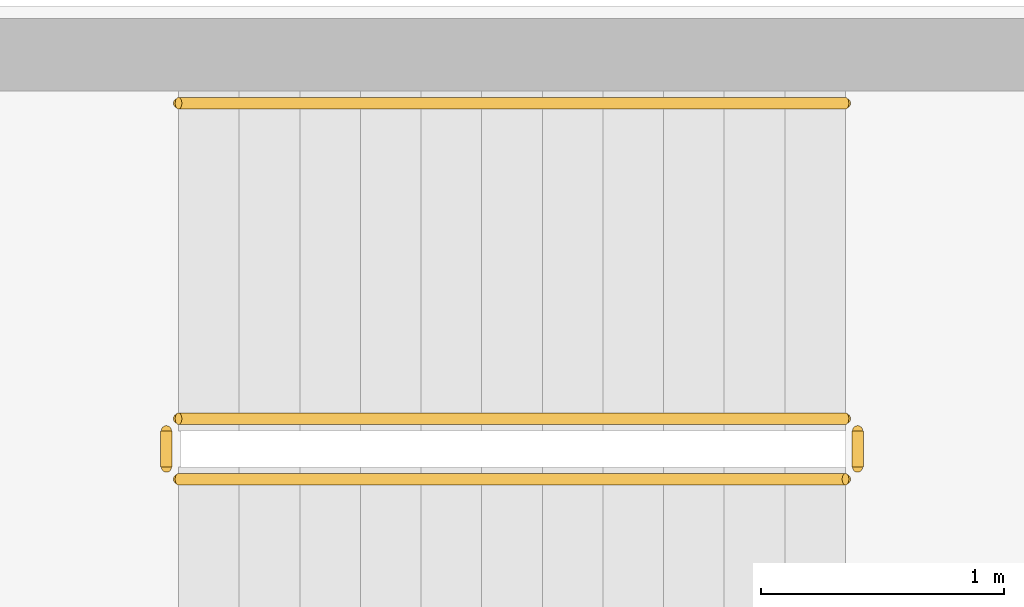
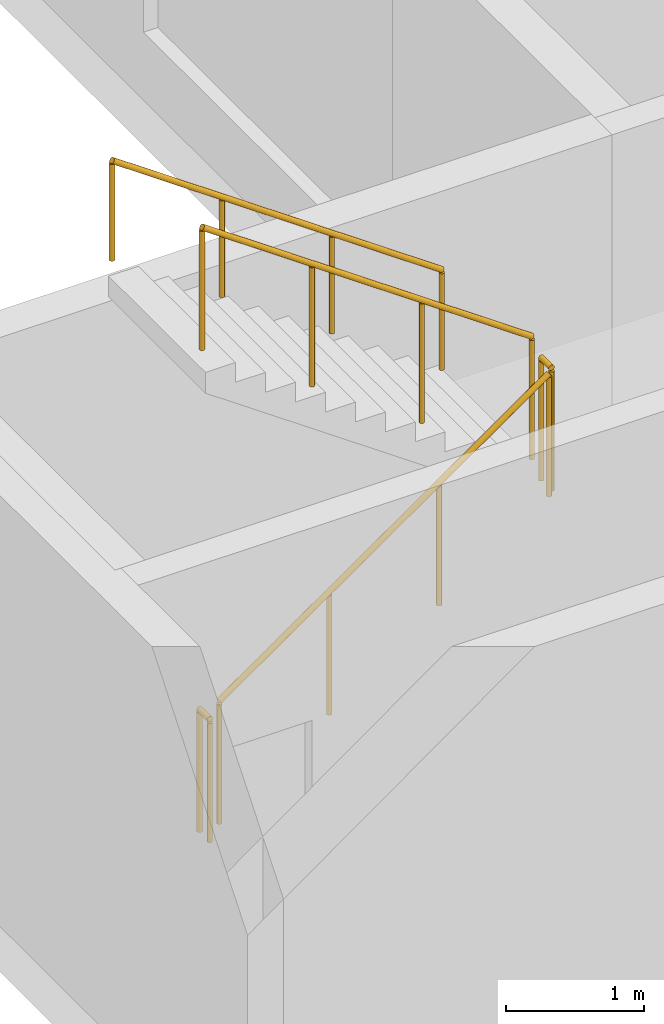
# One storey, part 13 of 14: 5 railings.
"""IFC4 building model written with IfcOpenShell, lengths in metres."""

from ifc_helpers import new_model, si_unit, direction, frame, origin, origin_2d, place, context, subcontext, project, spatial, circle, extrude, source, transform, mapped, material, type_object, element, save


model = new_model("IFC4")

# Units and contexts
model_context = context("Model", 3, precision=1e-05, world=origin(), true_north=direction((0.0, 1.0)))
body_context = subcontext(model_context, "Body", "Model", "MODEL_VIEW")
ifc_project = project(units=[si_unit("LENGTHUNIT", "METRE"), si_unit("AREAUNIT", "SQUARE_METRE"), si_unit("VOLUMEUNIT", "CUBIC_METRE"), si_unit("PLANEANGLEUNIT", "RADIAN"), si_unit("MASSUNIT", "GRAM", prefix="KILO")], contexts=[model_context])

# Site, building, storey
site_placement = place(None, origin())
site = spatial("IfcSite", under=ifc_project, at=site_placement, CompositionType="ELEMENT")
building_placement = place(site_placement, origin())
building = spatial("IfcBuilding", under=site, at=building_placement, Name="Aurelian Terraces", CompositionType="ELEMENT")
storey_placement = place(building_placement, frame((0.0, 0.0, 149.7)))
storey = spatial("IfcBuildingStorey", under=building, at=storey_placement, Name="L33", CompositionType="ELEMENT", Elevation=149.7)

# Railings
ifc_material = material(Name="Stainless steel", Category="steel")
railing_type_1 = type_object("IfcRailingType", Name="Stair guard 1100", PredefinedType="GUARDRAIL", material=ifc_material)
shared_shape_1 = source(origin(), body_context, "Body", "SweptSolid", [
    extrude(circle(Radius=0.024, at=origin_2d()), frame((0.0, 0.0, 1.076), z_axis=(0.0, 1.0, 0.0), x_axis=(-1.0, 0.0, 0.0)), (0.0, 0.0, 1.0), 0.15),
    extrude(circle(Radius=0.021, at=origin_2d()), origin(), (0.0, 0.0, 1.0), 1.052),
    extrude(circle(Radius=0.021, at=origin_2d()), frame((0.0, 0.15, 0.0)), (0.0, 0.0, 1.0), 1.052),
])
for number, where, name in (
    (1, (4.9, 42.05, 2.1), "L33 S3 stair guard 2"),
    (2, (2.05, 42.05, 0.0), "L33 S3 stair guard 4"),
):
    element("IfcRailing", number, at=place(storey_placement, frame(where)), inside=storey, type_object=railing_type_1, Name=name, PredefinedType="GUARDRAIL", context=body_context, shape_type="MappedRepresentation", body=[
        mapped(shared_shape_1, transform((0.0, 0.0, 0.0), scale=1.0)),
    ])
shared_shape_2 = source(origin(), body_context, "Body", "SweptSolid", [
    extrude(circle(Radius=0.024, at=origin_2d()), frame((0.0, 0.0, 1.076), z_axis=(0.819231920519, 0.0, 0.573462344363), x_axis=(0.0, 1.0, 0.0)), (0.0, 0.0, 1.0), 3.3568),
    extrude(circle(Radius=0.021, at=origin_2d()), origin(), (0.0, 0.0, 1.0), 1.052),
    extrude(circle(Radius=0.021, at=origin_2d()), frame((0.9167, 0.0, 0.6417)), (0.0, 0.0, 1.0), 1.052),
    extrude(circle(Radius=0.021, at=origin_2d()), frame((1.8333, 0.0, 1.2833)), (0.0, 0.0, 1.0), 1.052),
    extrude(circle(Radius=0.021, at=origin_2d()), frame((2.75, 0.0, 1.925)), (0.0, 0.0, 1.0), 1.052),
])
railing_1_placement = place(storey_placement, frame((2.1, 42.0, 0.175)))
element("IfcRailing", 3, at=railing_1_placement, inside=storey, type_object=railing_type_1, Name="L33 S3 stair guard 1", PredefinedType="GUARDRAIL", context=body_context, shape_type="MappedRepresentation", body=[
    mapped(shared_shape_2, transform((0.0, 0.0, 0.0), scale=1.0)),
])
shared_shape_3 = source(origin(), body_context, "Body", "SweptSolid", [
    extrude(circle(Radius=0.024, at=origin_2d()), frame((0.0, 0.0, 1.076), z_axis=(-0.819231920519, 0.0, 0.573462344363), x_axis=(0.0, -1.0, 0.0)), (0.0, 0.0, 1.0), 3.3568),
    extrude(circle(Radius=0.021, at=origin_2d()), origin(), (0.0, 0.0, 1.0), 1.052),
    extrude(circle(Radius=0.021, at=origin_2d()), frame((-0.9167, 0.0, 0.6417)), (0.0, 0.0, 1.0), 1.052),
    extrude(circle(Radius=0.021, at=origin_2d()), frame((-1.8333, 0.0, 1.2833)), (0.0, 0.0, 1.0), 1.052),
    extrude(circle(Radius=0.021, at=origin_2d()), frame((-2.75, 0.0, 1.925)), (0.0, 0.0, 1.0), 1.052),
])
railing_2_placement = place(storey_placement, frame((4.85, 42.25, 2.275)))
element("IfcRailing", 4, at=railing_2_placement, inside=storey, type_object=railing_type_1, Name="L33 S3 stair guard 3", PredefinedType="GUARDRAIL", context=body_context, shape_type="MappedRepresentation", body=[
    mapped(shared_shape_3, transform((0.0, 0.0, 0.0), scale=1.0)),
])
railing_type_2 = type_object("IfcRailingType", Name="Stair handrail", PredefinedType="HANDRAIL", material=ifc_material)
shared_shape_4 = source(origin(), body_context, "Body", "SweptSolid", [
    extrude(circle(Radius=0.024, at=origin_2d()), frame((0.0, 0.0, 0.876), z_axis=(-0.819231920519, 0.0, 0.573462344363), x_axis=(0.0, -1.0, 0.0)), (0.0, 0.0, 1.0), 3.3568),
    extrude(circle(Radius=0.021, at=origin_2d()), origin(), (0.0, 0.0, 1.0), 0.852),
    extrude(circle(Radius=0.021, at=origin_2d()), frame((-0.9167, 0.0, 0.6417)), (0.0, 0.0, 1.0), 0.852),
    extrude(circle(Radius=0.021, at=origin_2d()), frame((-1.8333, 0.0, 1.2833)), (0.0, 0.0, 1.0), 0.852),
    extrude(circle(Radius=0.021, at=origin_2d()), frame((-2.75, 0.0, 1.925)), (0.0, 0.0, 1.0), 0.852),
])
railing_3_placement = place(storey_placement, frame((4.85, 43.55, 2.275)))
element("IfcRailing", 5, at=railing_3_placement, inside=storey, type_object=railing_type_2, Name="L33 S3 stair handrail 2", PredefinedType="HANDRAIL", context=body_context, shape_type="MappedRepresentation", body=[
    mapped(shared_shape_4, transform((0.0, 0.0, 0.0), scale=1.0)),
])

save(model, "model.ifc")
